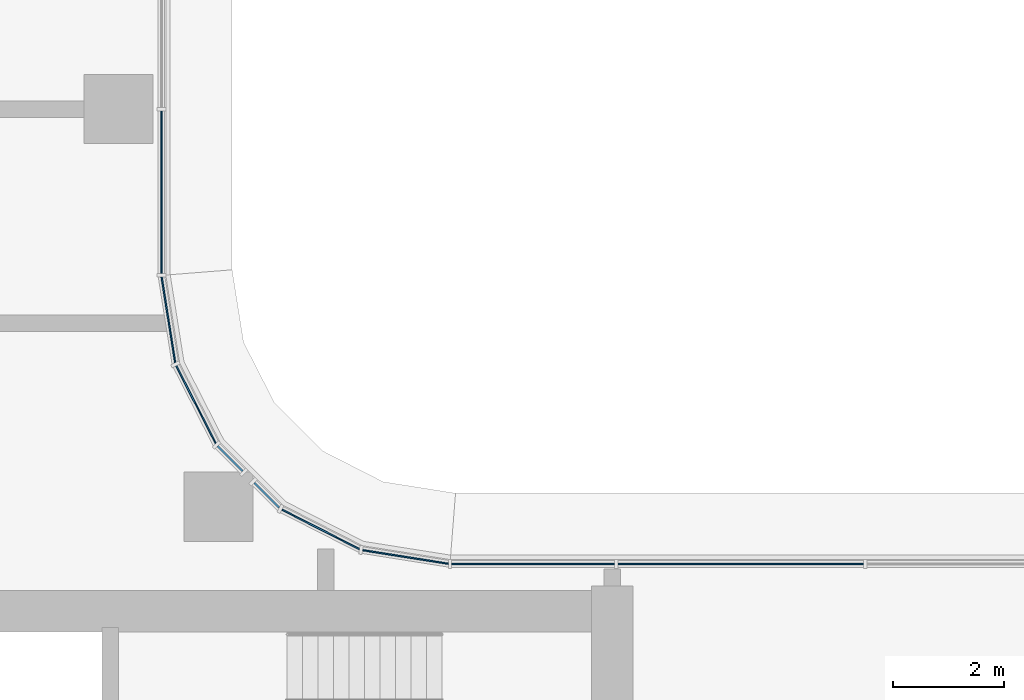
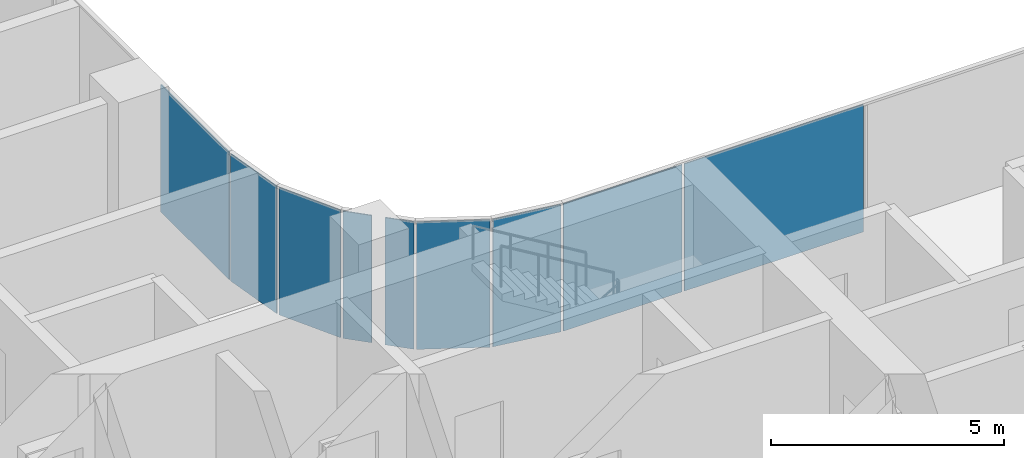
# One storey, part 15 of 40: 9 plates, 4 elements without a shape of their own.
"""IFC4 building model written with IfcOpenShell, lengths in metres."""

from ifc_helpers import new_model, si_unit, direction, frame, origin, origin_2d, place, context, subcontext, project, spatial, rectangle, extrude, material, layer, layer_set, type_object, element, aggregate, save


model = new_model("IFC4")

# Units and contexts
model_context = context("Model", 3, precision=1e-05, world=origin(), true_north=direction((0.0, 1.0)))
body_context = subcontext(model_context, "Body", "Model", "MODEL_VIEW")
ifc_project = project(units=[si_unit("LENGTHUNIT", "METRE"), si_unit("AREAUNIT", "SQUARE_METRE"), si_unit("VOLUMEUNIT", "CUBIC_METRE"), si_unit("PLANEANGLEUNIT", "RADIAN"), si_unit("MASSUNIT", "GRAM", prefix="KILO")], contexts=[model_context])

# Site, building, storey
site_placement = place(None, origin())
site = spatial("IfcSite", under=ifc_project, at=site_placement, CompositionType="ELEMENT")
building_placement = place(site_placement, origin())
building = spatial("IfcBuilding", under=site, at=building_placement, Name="Ogive Portal Towers", CompositionType="ELEMENT")
storey_placement = place(building_placement, frame((0.0, 0.0, 87.10009765625)))
storey = spatial("IfcBuildingStorey", under=building, at=storey_placement, Name="L20", CompositionType="ELEMENT", Elevation=87.10009765625)

# Curtain wall, plates
ifc_material = material(Name="Glass, clear low-iron insulated glazing", Category="glass")
curtain_wall_type = type_object("IfcCurtainWallType", Name="CW FRONT RIBBON 4500", PredefinedType="NOTDEFINED", material=ifc_material)
curtain_wall_1_placement = place(storey_placement, origin())
curtain_wall_1 = element("IfcCurtainWall", 1, at=curtain_wall_1_placement, inside=storey, type_object=curtain_wall_type, Name="A:L20:f11:cw0", PredefinedType="NOTDEFINED")
ifc_layer = layer(ifc_material, 0.028076171875)
ifc_layer_set = layer_set([ifc_layer], Name="CW PANEL IGU 28")
plate_type = type_object("IfcPlateType", Name="CW PANEL IGU 28", PredefinedType="CURTAIN_PANEL", material=ifc_layer_set)
plate_1_placement = place(storey_placement, frame((60.75, 40.27490234375, 0.0), z_axis=(0.0, 0.0, 1.0), x_axis=(-1.0, 0.0, 0.0)))
plate_1 = element("IfcPlate", 2, at=plate_1_placement, type_object=plate_type, Name="panel", PredefinedType="CURTAIN_PANEL", context=body_context, shape_type="SweptSolid", body=[
    extrude(rectangle(XDim=4.43994140625, YDim=0.028076171875, at=origin_2d()), origin(), (0.0, 0.0, 1.0), 3.340087890625),
])
plate_2_placement = place(storey_placement, frame((56.996826171875, 40.27490234375, 0.0), z_axis=(0.0, 0.0, 1.0), x_axis=(-1.0, 0.0, 0.0)))
plate_2 = element("IfcPlate", 3, at=plate_2_placement, type_object=plate_type, Name="panel", PredefinedType="CURTAIN_PANEL", context=body_context, shape_type="SweptSolid", body=[
    extrude(rectangle(XDim=2.9462890625, YDim=0.028076171875, at=origin_2d()), origin(), (0.0, 0.0, 1.0), 3.340087890625),
])
aggregate(curtain_wall_1, [plate_1, plate_2])

# Curtain wall, plate
curtain_wall_2_placement = place(storey_placement, origin())
curtain_wall_2 = element("IfcCurtainWall", 4, at=curtain_wall_2_placement, inside=storey, type_object=curtain_wall_type, Name="A:L20:f17:cw0", PredefinedType="NOTDEFINED")
plate_3_placement = place(storey_placement, frame((50.27490234375, 46.996826171875, 0.0), z_axis=(0.0, 0.0, 1.0), x_axis=(0.0, 1.0, 0.0)))
plate_3 = element("IfcPlate", 5, at=plate_3_placement, type_object=plate_type, Name="panel", PredefinedType="CURTAIN_PANEL", context=body_context, shape_type="SweptSolid", body=[
    extrude(rectangle(XDim=2.9462890625, YDim=0.028076171875, at=origin_2d()), origin(), (0.0, 0.0, 1.0), 3.340087890625),
])
aggregate(curtain_wall_2, [plate_3])

# Curtain wall, plates
curtain_wall_3_placement = place(storey_placement, origin())
curtain_wall_3 = element("IfcCurtainWall", 6, at=curtain_wall_3_placement, inside=storey, type_object=curtain_wall_type, Name="A:L20:f12:cwa~0", PredefinedType="NOTDEFINED")
plate_4_placement = place(storey_placement, frame((54.689453125, 40.40234375, 0.0), z_axis=(0.0, 0.0, 1.0), x_axis=(-0.987688340595, 0.15643446504, 0.0)))
plate_4 = element("IfcPlate", 7, at=plate_4_placement, type_object=plate_type, Name="panel", PredefinedType="CURTAIN_PANEL", context=body_context, shape_type="SweptSolid", body=[
    extrude(rectangle(XDim=1.568603515625, YDim=0.028076171875, at=origin_2d()), origin(), (0.0, 0.0, 1.0), 3.340087890625),
])
plate_5_placement = place(storey_placement, frame((53.15673828125, 40.90087890625, 0.0), z_axis=(0.0, 0.0, 1.0), x_axis=(-0.891006524188, 0.45399049974, 0.0)))
plate_5 = element("IfcPlate", 8, at=plate_5_placement, type_object=plate_type, Name="panel", PredefinedType="CURTAIN_PANEL", context=body_context, shape_type="SweptSolid", body=[
    extrude(rectangle(XDim=1.574951171875, YDim=0.028076171875, at=origin_2d()), origin(), (0.0, 0.0, 1.0), 3.340087890625),
])
plate_6_placement = place(storey_placement, frame((52.181640625, 41.518798828125, 0.0), z_axis=(0.0, 0.0, 1.0), x_axis=(-0.707106781187, 0.707106781187, 0.0)))
plate_6 = element("IfcPlate", 9, at=plate_6_placement, type_object=plate_type, Name="panel", PredefinedType="CURTAIN_PANEL", context=body_context, shape_type="SweptSolid", body=[
    extrude(rectangle(XDim=0.637451171875, YDim=0.028076171875, at=origin_2d()), origin(), (0.0, 0.0, 1.0), 3.340087890625),
])
aggregate(curtain_wall_3, [plate_4, plate_5, plate_6])

curtain_wall_4_placement = place(storey_placement, origin())
curtain_wall_4 = element("IfcCurtainWall", 10, at=curtain_wall_4_placement, inside=storey, type_object=curtain_wall_type, Name="A:L20:f12:cwa~1", PredefinedType="NOTDEFINED")
plate_7_placement = place(storey_placement, frame((51.518798828125, 42.181640625, 0.0), z_axis=(0.0, 0.0, 1.0), x_axis=(-0.707106781187, 0.707106781187, 0.0)))
plate_7 = element("IfcPlate", 11, at=plate_7_placement, type_object=plate_type, Name="panel", PredefinedType="CURTAIN_PANEL", context=body_context, shape_type="SweptSolid", body=[
    extrude(rectangle(XDim=0.637451171875, YDim=0.028076171875, at=origin_2d()), origin(), (0.0, 0.0, 1.0), 3.340087890625),
])
plate_8_placement = place(storey_placement, frame((50.90087890625, 43.15673828125, 0.0), z_axis=(0.0, 0.0, 1.0), x_axis=(-0.45399049974, 0.891006524188, 0.0)))
plate_8 = element("IfcPlate", 12, at=plate_8_placement, type_object=plate_type, Name="panel", PredefinedType="CURTAIN_PANEL", context=body_context, shape_type="SweptSolid", body=[
    extrude(rectangle(XDim=1.574951171875, YDim=0.028076171875, at=origin_2d()), origin(), (0.0, 0.0, 1.0), 3.340087890625),
])
plate_9_placement = place(storey_placement, frame((50.40234375, 44.689453125, 0.0), z_axis=(0.0, 0.0, 1.0), x_axis=(-0.15643446504, 0.987688340595, 0.0)))
plate_9 = element("IfcPlate", 13, at=plate_9_placement, type_object=plate_type, Name="panel", PredefinedType="CURTAIN_PANEL", context=body_context, shape_type="SweptSolid", body=[
    extrude(rectangle(XDim=1.568603515625, YDim=0.028076171875, at=origin_2d()), origin(), (0.0, 0.0, 1.0), 3.340087890625),
])
aggregate(curtain_wall_4, [plate_7, plate_8, plate_9])

save(model, "model.ifc")
